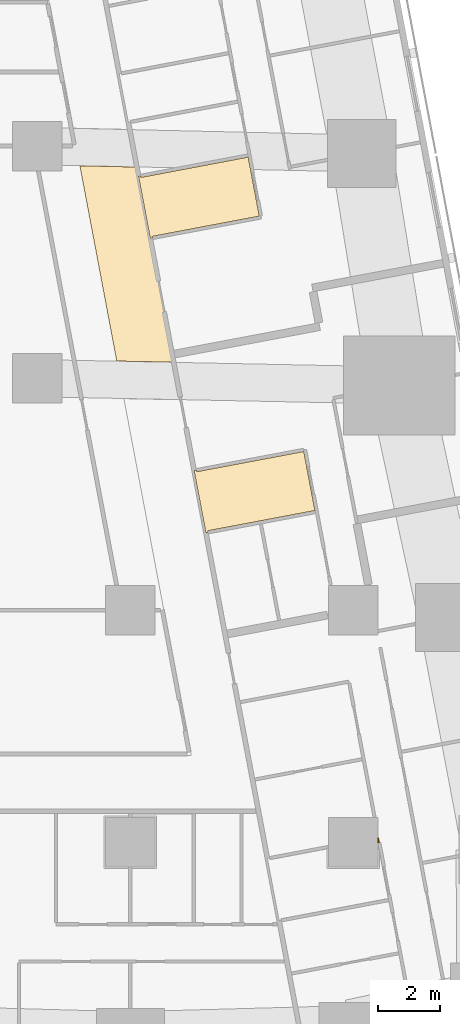
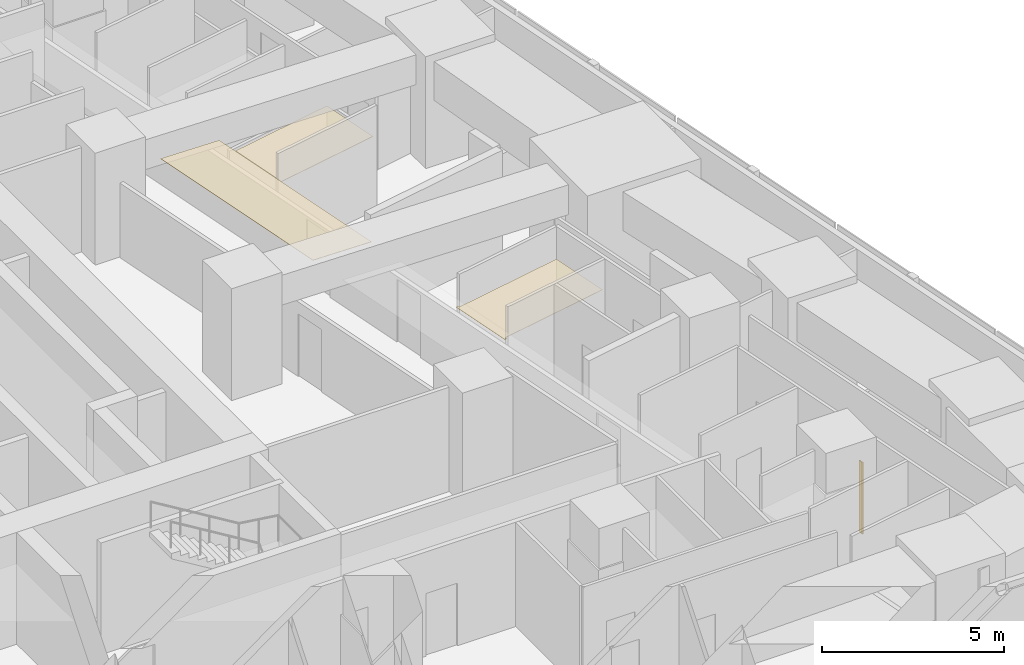
# One storey, part 16 of 17: 4 coverings.
"""IFC4 building model written with IfcOpenShell, lengths in metres."""

from ifc_helpers import new_model, si_unit, direction, frame, origin, place, context, subcontext, project, spatial, polyline, outline, extrude, material, layer, layer_set, type_object, element, save


model = new_model("IFC4")

# Units and contexts
model_context = context("Model", 3, precision=1e-05, world=origin(), true_north=direction((0.0, 1.0)))
body_context = subcontext(model_context, "Body", "Model", "MODEL_VIEW")
ifc_project = project(units=[si_unit("LENGTHUNIT", "METRE"), si_unit("AREAUNIT", "SQUARE_METRE"), si_unit("VOLUMEUNIT", "CUBIC_METRE"), si_unit("PLANEANGLEUNIT", "RADIAN"), si_unit("MASSUNIT", "GRAM", prefix="KILO")], contexts=[model_context])

# Site, building, storey
site_placement = place(None, origin())
site = spatial("IfcSite", under=ifc_project, at=site_placement, CompositionType="ELEMENT")
building_placement = place(site_placement, origin())
building = spatial("IfcBuilding", under=site, at=building_placement, Name="Sheger Commons Tower", CompositionType="ELEMENT")
storey_placement = place(building_placement, frame((0.0, 0.0, 119.14990234375)))
storey = spatial("IfcBuildingStorey", under=building, at=storey_placement, Name="L30", CompositionType="ELEMENT", Elevation=119.14990234375)

# Coverings
ifc_material_1 = material(Name="Moisture-resistant gypsum plasterboard 15 mm on a suspended galvanised steel grid", Category="steel")
ifc_layer_1 = layer(ifc_material_1, 0.014892578125)
ifc_layer_set_1 = layer_set([ifc_layer_1], Name="MOISTURE-RESISTANT CEILING 15")
covering_type_1 = type_object("IfcCoveringType", Name="MOISTURE-RESISTANT CEILING 15", PredefinedType="CEILING", material=ifc_layer_set_1)
covering_1_placement = place(storey_placement, frame((0.0, 0.0, 2.400146484375)))
element("IfcCovering", 1, at=covering_1_placement, inside=storey, type_object=covering_type_1, Name="L30-07.B1 ceiling", PredefinedType="CEILING", context=body_context, shape_type="SweptSolid", body=[
    extrude(outline(polyline([(36.64697265625, 27.014892578125), (36.715087890625, 27.028076171875), (36.705078125, 27.08203125), (40.1689453125, 27.737060546875), (39.80908203125, 29.64306640625), (36.344970703125, 28.988037109375), (36.3349609375, 29.04296875), (36.26611328125, 29.030029296875), (36.64697265625, 27.014892578125)])), origin(), (0.0, 0.0, 1.0), 0.014892578125),
])
covering_2_placement = place(storey_placement, frame((0.0, 0.0, 2.400146484375)))
element("IfcCovering", 2, at=covering_2_placement, inside=storey, type_object=covering_type_1, Name="L30-08.B1 ceiling", PredefinedType="CEILING", context=body_context, shape_type="SweptSolid", body=[
    extrude(outline(polyline([(38.444091796875, 17.5009765625), (38.511962890625, 17.513916015625), (38.501953125, 17.568115234375), (41.966064453125, 18.222900390625), (41.60595703125, 20.12890625), (38.14208984375, 19.47509765625), (38.132080078125, 19.529052734375), (38.06298828125, 19.51611328125), (38.444091796875, 17.5009765625)])), origin(), (0.0, 0.0, 1.0), 0.014892578125),
])
ifc_material_2 = material(Name="Gypsum plasterboard 15 mm on a suspended steel grid", Category="steel")
ifc_layer_2 = layer(ifc_material_2, 0.014892578125)
ifc_layer_set_2 = layer_set([ifc_layer_2], Name="SUSPENDED CEILING 15")
covering_type_2 = type_object("IfcCoveringType", Name="SUSPENDED CEILING 15", PredefinedType="CEILING", material=ifc_layer_set_2)
covering_3_placement = place(storey_placement, frame((0.0, 0.0, 2.7001953125)))
element("IfcCovering", 3, at=covering_3_placement, inside=storey, type_object=covering_type_2, Name="L30-CO ceiling", PredefinedType="CEILING", context=body_context, shape_type="SweptSolid", body=[
    extrude(outline(polyline([(37.402099609375, 23.01611328125), (36.2109375, 29.322021484375), (34.37109375, 29.364013671875), (35.56298828125, 23.052978515625), (37.402099609375, 23.01611328125)])), origin(), (0.0, 0.0, 1.0), 0.014892578125),
])
ifc_material_3 = material(Name="Moisture-resistant gypsum board 12.5 mm on 25 mm treated timber battens, tanked and tiled", Category="wood")
ifc_layer_3 = layer(ifc_material_3, 0.050048828125)
ifc_layer_set_3 = layer_set([ifc_layer_3], Name="WET-ROOM COLUMN LINING")
covering_type_3 = type_object("IfcCoveringType", Name="WET-ROOM COLUMN LINING", PredefinedType="CLADDING", material=ifc_layer_set_3)
covering_4_placement = place(storey_placement, origin())
element("IfcCovering", 4, at=covering_4_placement, inside=storey, type_object=covering_type_3, Name="Bathroom column lining C9 L30", PredefinedType="CLADDING", context=body_context, shape_type="SweptSolid", body=[
    extrude(outline(polyline([(44.0, 7.652099609375), (44.01806640625, 7.655029296875), (44.049072265625, 7.490966796875), (44.0, 7.48193359375), (44.0, 7.652099609375)])), origin(), (0.0, 0.0, 1.0), 2.400146484375),
])

save(model, "model.ifc")
